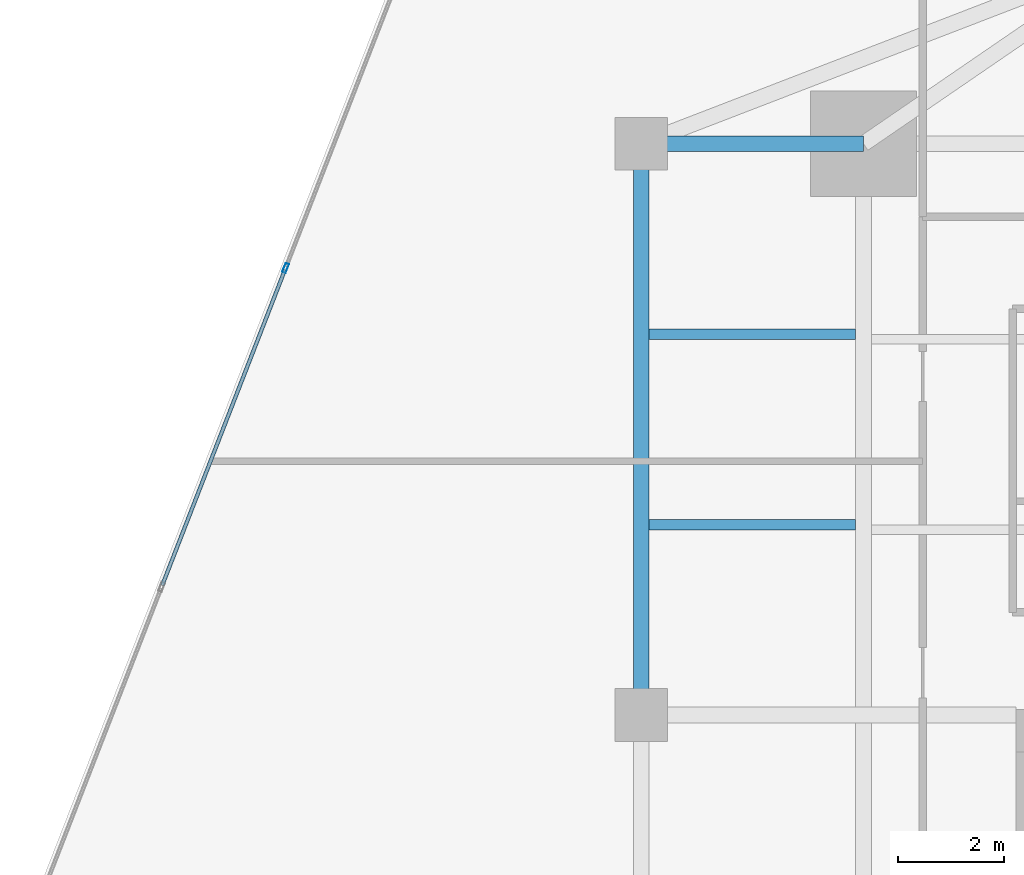
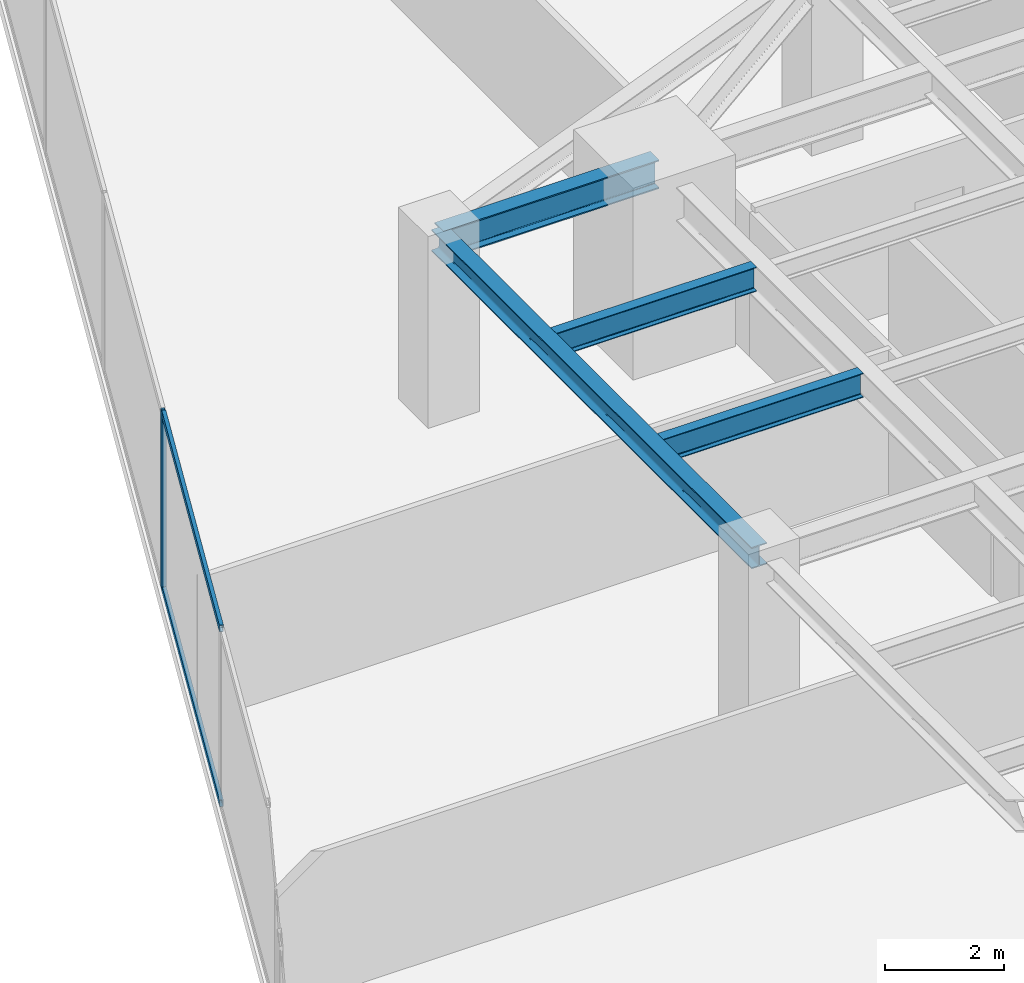
# One storey, part 13 of 26: 4 beams, 3 members, 1 element without a shape of its own.
"""IFC4 building model written with IfcOpenShell, lengths in metres."""

from ifc_helpers import new_model, si_unit, direction, frame, origin, origin_2d, place, context, subcontext, project, spatial, hollow_rectangle, i_section, extrude, source, transform, mapped, material, material_profile, profile_set, type_object, type_shapes, element, aggregate, save


model = new_model("IFC4")

# Units and contexts
model_context = context("Model", 3, precision=1e-05, world=origin(), true_north=direction((0.0, 1.0)))
body_context = subcontext(model_context, "Body", "Model", "MODEL_VIEW")
ifc_project = project(units=[si_unit("LENGTHUNIT", "METRE"), si_unit("AREAUNIT", "SQUARE_METRE"), si_unit("VOLUMEUNIT", "CUBIC_METRE"), si_unit("PLANEANGLEUNIT", "RADIAN"), si_unit("MASSUNIT", "GRAM", prefix="KILO")], contexts=[model_context])

# Site, building, storey
site_placement = place(None, origin())
site = spatial("IfcSite", under=ifc_project, at=site_placement, CompositionType="ELEMENT")
building_placement = place(site_placement, origin())
building = spatial("IfcBuilding", under=site, at=building_placement, Name="Krantzveldt Concourse Tower", CompositionType="ELEMENT")
storey_placement = place(building_placement, frame((0.0, 0.0, 129.550048828125)))
storey = spatial("IfcBuildingStorey", under=building, at=storey_placement, Name="L31", CompositionType="ELEMENT", Elevation=129.550048828125)

# Beams
ifc_material_1 = material(Name="Steel S355JR", Category="steel")
ifc_material_profile_1 = material_profile(ifc_material_1, i_section(OverallWidth=0.300048828125, OverallDepth=0.43994140625, WebThickness=0.011474609375, FlangeThickness=0.02099609375, FilletRadius=0.027099609375, at=origin_2d()), Name="Steel S355JR", Category="steel")
ifc_profile_set_1 = profile_set([ifc_material_profile_1], Name="Steel S355JR - HEA 450")
beam_type_1 = type_object("IfcBeamType", Name="BM-SP-HEA450", PredefinedType="SPANDREL", material=ifc_profile_set_1)
shared_shape_1 = source(origin(), body_context, "Body", "SweptSolid", [
    extrude(i_section(OverallWidth=0.300048828125, OverallDepth=0.43994140625, WebThickness=0.011474609375, FlangeThickness=0.02099609375, FilletRadius=0.027099609375, at=origin_2d()), origin(), (0.0, 0.0, 1.0), 10.800048828125),
])
type_shapes(beam_type_1, [shared_shape_1])
beam_1_placement = place(storey_placement, frame((21.0, 26.699951171875, 3.449951171875), z_axis=(0.0, 1.0, 0.0), x_axis=(-1.0, 0.0, 0.0)))
element("IfcBeam", 1, at=beam_1_placement, inside=storey, type_object=beam_type_1, Name="L31 Tower Girder SP-R02", PredefinedType="SPANDREL", context=body_context, shape_type="MappedRepresentation", body=[
    mapped(shared_shape_1, transform((0.0, 0.0, 0.0), x_axis=(1.0, 0.0, 0.0), y_axis=(0.0, 1.0, 0.0), z_axis=(0.0, 0.0, 1.0), scale=1.0)),
])
ifc_material_profile_2 = material_profile(ifc_material_1, i_section(OverallWidth=0.300048828125, OverallDepth=0.590087890625, WebThickness=0.012939453125, FlangeThickness=0.02490234375, FilletRadius=0.027099609375, at=origin_2d()), Name="Steel S355JR", Category="steel")
ifc_profile_set_2 = profile_set([ifc_material_profile_2], Name="Steel S355JR - HEA 600")
beam_type_2 = type_object("IfcBeamType", Name="BM-B-HEA600", PredefinedType="BEAM", material=ifc_profile_set_2)
shared_shape_2 = source(origin(), body_context, "Body", "SweptSolid", [
    extrude(i_section(OverallWidth=0.300048828125, OverallDepth=0.590087890625, WebThickness=0.012939453125, FlangeThickness=0.02490234375, FilletRadius=0.027099609375, at=origin_2d()), origin(), (0.0, 0.0, 1.0), 4.199951171875),
])
type_shapes(beam_type_2, [shared_shape_2])
beam_2_placement = place(storey_placement, frame((21.0, 37.5, 3.375), z_axis=(1.0, 0.0, 0.0), x_axis=(0.0, 1.0, 0.0)))
element("IfcBeam", 2, at=beam_2_placement, inside=storey, type_object=beam_type_2, Name="L31 Tower Girder BR-RL3", PredefinedType="BEAM", context=body_context, shape_type="MappedRepresentation", body=[
    mapped(shared_shape_2, transform((0.0, 0.0, 0.0), x_axis=(1.0, 0.0, 0.0), y_axis=(0.0, 1.0, 0.0), z_axis=(0.0, 0.0, 1.0), scale=1.0)),
])
ifc_material_profile_3 = material_profile(ifc_material_1, i_section(OverallWidth=0.199951171875, OverallDepth=0.5, WebThickness=0.01025390625, FlangeThickness=0.01611328125, FilletRadius=0.02099609375, at=origin_2d()), Name="Steel S355JR", Category="steel")
ifc_profile_set_3 = profile_set([ifc_material_profile_3], Name="Steel S355JR - IPE 500")
beam_type_3 = type_object("IfcBeamType", Name="BM-J-IPE500", PredefinedType="JOIST", material=ifc_profile_set_3)
shared_shape_3 = source(origin(), body_context, "Body", "SweptSolid", [
    extrude(i_section(OverallWidth=0.199951171875, OverallDepth=0.5, WebThickness=0.01025390625, FlangeThickness=0.01611328125, FilletRadius=0.02099609375, at=origin_2d()), origin(), (0.0, 0.0, 1.0), 3.900146484375),
])
type_shapes(beam_type_3, [shared_shape_3])
for number, where, z_axis, x_axis, name in (
    (3, (21.14990234375, 30.300048828125, 3.419921875), (1.0, 0.0, 0.0), (0.0, 1.0, 0.0), "L31 Secondary Floor Joist JW-3"),
    (4, (21.14990234375, 33.89990234375, 3.419921875), (1.0, 0.0, 0.0), (0.0, 1.0, 0.0), "L31 Secondary Floor Joist JW-4"),
):
    element("IfcBeam", number, at=place(storey_placement, frame(where, z_axis=z_axis, x_axis=x_axis)), inside=storey, type_object=beam_type_3, Name=name, PredefinedType="JOIST", context=body_context, shape_type="MappedRepresentation", body=[
        mapped(shared_shape_3, transform((0.0, 0.0, 0.0), x_axis=(1.0, 0.0, 0.0), y_axis=(0.0, 1.0, 0.0), z_axis=(0.0, 0.0, 1.0), scale=1.0)),
    ])

# Curtain wall, members
ifc_material_2 = material(Name="Anodised aluminium 6063-T6", Category="aluminium")
curtain_wall_type = type_object("IfcCurtainWallType", Name="CW2", PredefinedType="USERDEFINED", material=ifc_material_2)
curtain_wall_placement = place(storey_placement, origin())
curtain_wall = element("IfcCurtainWall", 5, at=curtain_wall_placement, inside=storey, type_object=curtain_wall_type, Name="CW-L31-F01", ObjectType="UNITISED CURTAIN WALL", PredefinedType="USERDEFINED")
ifc_material_profile_4 = material_profile(ifc_material_2, hollow_rectangle(XDim=0.070068359375, YDim=0.179931640625, WallThickness=0.0048828125, at=origin_2d()), Name="Anodised aluminium 6063-T6", Category="aluminium")
ifc_profile_set_4 = profile_set([ifc_material_profile_4], Name="Anodised aluminium 6063-T6 - ALU-MULL 180x70x5")
member_type_1 = type_object("IfcMemberType", Name="CW-MUL-180", PredefinedType="MULLION", material=ifc_profile_set_4)
shared_shape_4 = source(origin(), body_context, "Body", "SweptSolid", [
    extrude(hollow_rectangle(XDim=0.070068359375, YDim=0.179931640625, WallThickness=0.0048828125, at=origin_2d()), origin(), (0.0, 0.0, 1.0), 3.669921875),
])
type_shapes(member_type_1, [shared_shape_4])
member_1_placement = place(storey_placement, frame((14.27490234375, 35.1484375, 0.0), z_axis=(0.0, 0.0, 1.0), x_axis=(0.93200790248, -0.362437952917, 0.0)))
member_1 = element("IfcMember", 6, at=member_1_placement, type_object=member_type_1, Name="CW-Z12 mullion 4", PredefinedType="MULLION", context=body_context, shape_type="MappedRepresentation", body=[
    mapped(shared_shape_4, transform((0.0, 0.0, 0.0), x_axis=(1.0, 0.0, 0.0), y_axis=(0.0, 1.0, 0.0), z_axis=(0.0, 0.0, 1.0), scale=1.0)),
])
ifc_material_profile_5 = material_profile(ifc_material_2, hollow_rectangle(XDim=0.070068359375, YDim=0.139892578125, WallThickness=0.0048828125, at=origin_2d()), Name="Anodised aluminium 6063-T6", Category="aluminium")
ifc_profile_set_5 = profile_set([ifc_material_profile_5], Name="Anodised aluminium 6063-T6 - ALU-TRAN 140x70x5")
member_type_2 = type_object("IfcMemberType", Name="CW-TRN-150", PredefinedType="USERDEFINED", material=ifc_profile_set_5)
shared_shape_5 = source(origin(), body_context, "Body", "SweptSolid", [
    extrude(hollow_rectangle(XDim=0.070068359375, YDim=0.139892578125, WallThickness=0.0048828125, at=origin_2d()), origin(), (0.0, 0.0, 1.0), 6.396484375),
])
type_shapes(member_type_2, [shared_shape_5])
member_2_placement = place(storey_placement, frame((14.26220703125, 35.11572265625, 0.034912109375), z_axis=(-0.36243705186, -0.932008252882, 0.0), x_axis=(0.932008252882, -0.36243705186, 0.0)))
member_2 = element("IfcMember", 7, at=member_2_placement, type_object=member_type_2, Name="CW-Z12 transom 4.1", ObjectType="TRANSOM", PredefinedType="USERDEFINED", context=body_context, shape_type="MappedRepresentation", body=[
    mapped(shared_shape_5, transform((0.0, 0.0, 0.0), x_axis=(1.0, 0.0, 0.0), y_axis=(0.0, 1.0, 0.0), z_axis=(0.0, 0.0, 1.0), scale=1.0)),
])
member_3_placement = place(storey_placement, frame((14.26220703125, 35.11572265625, 3.635009765625), z_axis=(-0.36243705186, -0.932008252882, 0.0), x_axis=(0.932008252882, -0.36243705186, 0.0)))
member_3 = element("IfcMember", 8, at=member_3_placement, type_object=member_type_2, Name="CW-Z12 transom 4.2", ObjectType="TRANSOM", PredefinedType="USERDEFINED", context=body_context, shape_type="MappedRepresentation", body=[
    mapped(shared_shape_5, transform((0.0, 0.0, 0.0), x_axis=(1.0, 0.0, 0.0), y_axis=(0.0, 1.0, 0.0), z_axis=(0.0, 0.0, 1.0), scale=1.0)),
])
aggregate(curtain_wall, [member_1, member_2, member_3])

save(model, "model.ifc")
